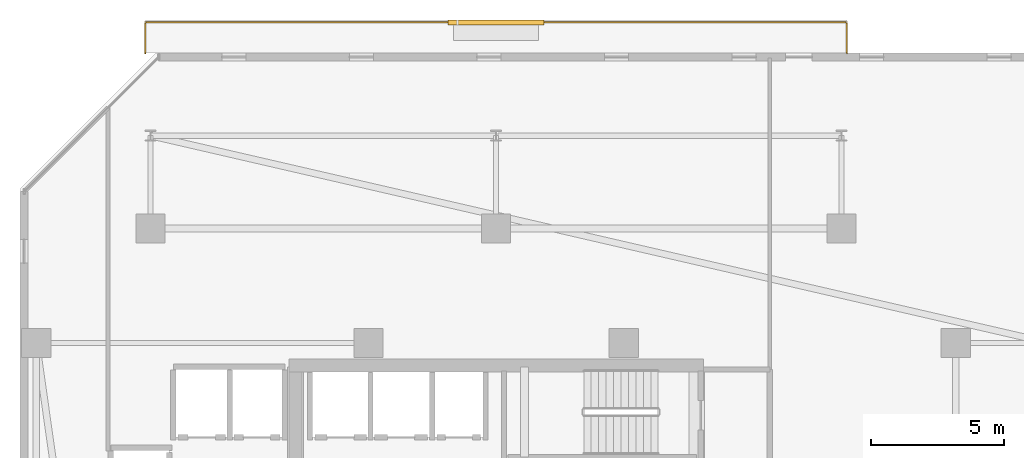
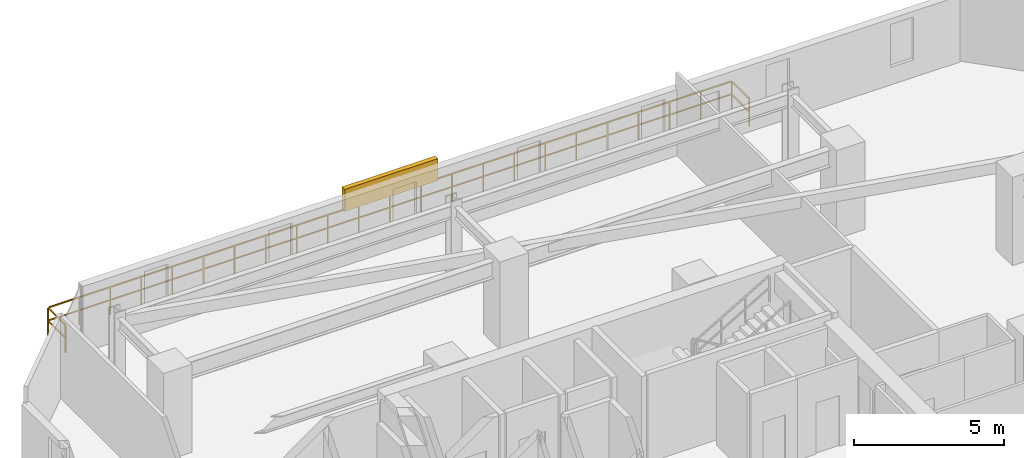
# One storey, part 31 of 33: 1 railing, 1 shading device.
"""IFC4 building model written with IfcOpenShell, lengths in metres."""

from ifc_helpers import new_model, si_unit, direction, frame, origin, origin_2d, place, context, subcontext, project, spatial, rectangle, extrude, material, type_object, element, save


model = new_model("IFC4")

# Units and contexts
model_context = context("Model", 3, precision=1e-05, world=origin(), true_north=direction((0.0, 1.0)))
body_context = subcontext(model_context, "Body", "Model", "MODEL_VIEW")
ifc_project = project(units=[si_unit("LENGTHUNIT", "METRE"), si_unit("AREAUNIT", "SQUARE_METRE"), si_unit("VOLUMEUNIT", "CUBIC_METRE"), si_unit("PLANEANGLEUNIT", "RADIAN"), si_unit("MASSUNIT", "GRAM", prefix="KILO")], contexts=[model_context])

# Site, building, storey
site_placement = place(None, origin())
site = spatial("IfcSite", under=ifc_project, at=site_placement, CompositionType="ELEMENT")
building_placement = place(site_placement, origin())
building = spatial("IfcBuilding", under=site, at=building_placement, Name="Thornwick Lancets Civic Towers", CompositionType="ELEMENT")
storey_placement = place(building_placement, frame((0.0, 0.0, 189.300048828125)))
storey = spatial("IfcBuildingStorey", under=building, at=storey_placement, Name="L50", CompositionType="ELEMENT", Elevation=189.300048828125)

# Railing
ifc_material_1 = material(Name="Terracotta-capped laminated glass balustrade S355", Category="masonry")
railing_type = type_object("IfcRailingType", Name="RAIL_TERR_GUARD", PredefinedType="GUARDRAIL", material=ifc_material_1)
railing_placement = place(storey_placement, frame((12.300048828125, 50.89990234375, 0.0)))
element("IfcRailing", 1, at=railing_placement, inside=storey, type_object=railing_type, Name="L50 Tower A Balcony Guard N", PredefinedType="GUARDRAIL", context=body_context, shape_type="SweptSolid", body=[
    extrude(rectangle(XDim=0.048095703125, YDim=0.048095703125, at=origin_2d()), frame((0.0, 0.0, 1.1259765625), z_axis=(0.0, 1.0, 0.0), x_axis=(-1.0, 0.0, 0.0)), (0.0, 0.0, 1.0), 1.138916015625),
    extrude(rectangle(XDim=0.0419921875, YDim=0.0419921875, at=origin_2d()), frame((0.0, 0.03759765625, 0.597900390625), z_axis=(0.0, 1.0, 0.0), x_axis=(-1.0, 0.0, 0.0)), (0.0, 0.0, 1.0), 1.09521484375),
    extrude(rectangle(XDim=0.048095703125, YDim=0.048095703125, at=origin_2d()), frame((0.03125, 1.170166015625, 1.1259765625), z_axis=(1.0, 0.0, 0.0), x_axis=(0.0, 1.0, 0.0)), (0.0, 0.0, 1.0), 26.33740234375),
    extrude(rectangle(XDim=0.0419921875, YDim=0.0419921875, at=origin_2d()), frame((0.03759765625, 1.170166015625, 0.597900390625), z_axis=(1.0, 0.0, 0.0), x_axis=(0.0, 1.0, 0.0)), (0.0, 0.0, 1.0), 1.125),
    extrude(rectangle(XDim=0.0419921875, YDim=0.0419921875, at=origin_2d()), frame((1.237548828125, 1.170166015625, 0.597900390625), z_axis=(1.0, 0.0, 0.0), x_axis=(0.0, 1.0, 0.0)), (0.0, 0.0, 1.0), 1.125),
    extrude(rectangle(XDim=0.0419921875, YDim=0.0419921875, at=origin_2d()), frame((2.4375, 1.170166015625, 0.597900390625), z_axis=(1.0, 0.0, 0.0), x_axis=(0.0, 1.0, 0.0)), (0.0, 0.0, 1.0), 1.125),
    extrude(rectangle(XDim=0.0419921875, YDim=0.0419921875, at=origin_2d()), frame((3.637451171875, 1.170166015625, 0.597900390625), z_axis=(1.0, 0.0, 0.0), x_axis=(0.0, 1.0, 0.0)), (0.0, 0.0, 1.0), 1.125),
    extrude(rectangle(XDim=0.0419921875, YDim=0.0419921875, at=origin_2d()), frame((4.83740234375, 1.170166015625, 0.597900390625), z_axis=(1.0, 0.0, 0.0), x_axis=(0.0, 1.0, 0.0)), (0.0, 0.0, 1.0), 1.125),
    extrude(rectangle(XDim=0.0419921875, YDim=0.0419921875, at=origin_2d()), frame((6.037353515625, 1.170166015625, 0.597900390625), z_axis=(1.0, 0.0, 0.0), x_axis=(0.0, 1.0, 0.0)), (0.0, 0.0, 1.0), 1.125),
    extrude(rectangle(XDim=0.0419921875, YDim=0.0419921875, at=origin_2d()), frame((7.237548828125, 1.170166015625, 0.597900390625), z_axis=(1.0, 0.0, 0.0), x_axis=(0.0, 1.0, 0.0)), (0.0, 0.0, 1.0), 1.125),
    extrude(rectangle(XDim=0.0419921875, YDim=0.0419921875, at=origin_2d()), frame((8.4375, 1.170166015625, 0.597900390625), z_axis=(1.0, 0.0, 0.0), x_axis=(0.0, 1.0, 0.0)), (0.0, 0.0, 1.0), 1.125),
    extrude(rectangle(XDim=0.0419921875, YDim=0.0419921875, at=origin_2d()), frame((9.637451171875, 1.170166015625, 0.597900390625), z_axis=(1.0, 0.0, 0.0), x_axis=(0.0, 1.0, 0.0)), (0.0, 0.0, 1.0), 1.125),
    extrude(rectangle(XDim=0.0419921875, YDim=0.0419921875, at=origin_2d()), frame((10.83740234375, 1.170166015625, 0.597900390625), z_axis=(1.0, 0.0, 0.0), x_axis=(0.0, 1.0, 0.0)), (0.0, 0.0, 1.0), 1.125),
    extrude(rectangle(XDim=0.0419921875, YDim=0.0419921875, at=origin_2d()), frame((12.037353515625, 1.170166015625, 0.597900390625), z_axis=(1.0, 0.0, 0.0), x_axis=(0.0, 1.0, 0.0)), (0.0, 0.0, 1.0), 1.125),
    extrude(rectangle(XDim=0.0419921875, YDim=0.0419921875, at=origin_2d()), frame((13.237548828125, 1.170166015625, 0.597900390625), z_axis=(1.0, 0.0, 0.0), x_axis=(0.0, 1.0, 0.0)), (0.0, 0.0, 1.0), 1.125),
    extrude(rectangle(XDim=0.0419921875, YDim=0.0419921875, at=origin_2d()), frame((14.4375, 1.170166015625, 0.597900390625), z_axis=(1.0, 0.0, 0.0), x_axis=(0.0, 1.0, 0.0)), (0.0, 0.0, 1.0), 1.125),
    extrude(rectangle(XDim=0.0419921875, YDim=0.0419921875, at=origin_2d()), frame((15.637451171875, 1.170166015625, 0.597900390625), z_axis=(1.0, 0.0, 0.0), x_axis=(0.0, 1.0, 0.0)), (0.0, 0.0, 1.0), 1.125),
    extrude(rectangle(XDim=0.0419921875, YDim=0.0419921875, at=origin_2d()), frame((16.83740234375, 1.170166015625, 0.597900390625), z_axis=(1.0, 0.0, 0.0), x_axis=(0.0, 1.0, 0.0)), (0.0, 0.0, 1.0), 1.125),
    extrude(rectangle(XDim=0.0419921875, YDim=0.0419921875, at=origin_2d()), frame((18.037353515625, 1.170166015625, 0.597900390625), z_axis=(1.0, 0.0, 0.0), x_axis=(0.0, 1.0, 0.0)), (0.0, 0.0, 1.0), 1.125),
    extrude(rectangle(XDim=0.0419921875, YDim=0.0419921875, at=origin_2d()), frame((19.2373046875, 1.170166015625, 0.597900390625), z_axis=(1.0, 0.0, 0.0), x_axis=(0.0, 1.0, 0.0)), (0.0, 0.0, 1.0), 1.125),
    extrude(rectangle(XDim=0.0419921875, YDim=0.0419921875, at=origin_2d()), frame((20.4375, 1.170166015625, 0.597900390625), z_axis=(1.0, 0.0, 0.0), x_axis=(0.0, 1.0, 0.0)), (0.0, 0.0, 1.0), 1.125),
    extrude(rectangle(XDim=0.0419921875, YDim=0.0419921875, at=origin_2d()), frame((21.637451171875, 1.170166015625, 0.597900390625), z_axis=(1.0, 0.0, 0.0), x_axis=(0.0, 1.0, 0.0)), (0.0, 0.0, 1.0), 1.125),
    extrude(rectangle(XDim=0.0419921875, YDim=0.0419921875, at=origin_2d()), frame((22.83740234375, 1.170166015625, 0.597900390625), z_axis=(1.0, 0.0, 0.0), x_axis=(0.0, 1.0, 0.0)), (0.0, 0.0, 1.0), 1.125),
    extrude(rectangle(XDim=0.0419921875, YDim=0.0419921875, at=origin_2d()), frame((24.037353515625, 1.170166015625, 0.597900390625), z_axis=(1.0, 0.0, 0.0), x_axis=(0.0, 1.0, 0.0)), (0.0, 0.0, 1.0), 1.125),
    extrude(rectangle(XDim=0.0419921875, YDim=0.0419921875, at=origin_2d()), frame((25.2373046875, 1.170166015625, 0.597900390625), z_axis=(1.0, 0.0, 0.0), x_axis=(0.0, 1.0, 0.0)), (0.0, 0.0, 1.0), 1.125),
    extrude(rectangle(XDim=0.048095703125, YDim=0.048095703125, at=origin_2d()), frame((26.39990234375, 1.138916015625, 1.1259765625), z_axis=(0.0, -1.0, 0.0), x_axis=(1.0, 0.0, 0.0)), (0.0, 0.0, 1.0), 1.138916015625),
    extrude(rectangle(XDim=0.0419921875, YDim=0.0419921875, at=origin_2d()), frame((26.39990234375, 1.132568359375, 0.597900390625), z_axis=(0.0, -1.0, 0.0), x_axis=(1.0, 0.0, 0.0)), (0.0, 0.0, 1.0), 1.09521484375),
    extrude(rectangle(XDim=0.0419921875, YDim=0.0419921875, at=origin_2d()), origin(), (0.0, 0.0, 1.0), 1.095703125),
    extrude(rectangle(XDim=0.0419921875, YDim=0.0419921875, at=origin_2d()), frame((0.0, 1.170166015625, 0.0)), (0.0, 0.0, 1.0), 1.095703125),
    extrude(rectangle(XDim=0.0419921875, YDim=0.0419921875, at=origin_2d()), frame((1.199951171875, 1.170166015625, 0.0)), (0.0, 0.0, 1.0), 1.095703125),
    extrude(rectangle(XDim=0.0419921875, YDim=0.0419921875, at=origin_2d()), frame((2.39990234375, 1.170166015625, 0.0)), (0.0, 0.0, 1.0), 1.095703125),
    extrude(rectangle(XDim=0.0419921875, YDim=0.0419921875, at=origin_2d()), frame((3.60009765625, 1.170166015625, 0.0)), (0.0, 0.0, 1.0), 1.095703125),
    extrude(rectangle(XDim=0.0419921875, YDim=0.0419921875, at=origin_2d()), frame((4.800048828125, 1.170166015625, 0.0)), (0.0, 0.0, 1.0), 1.095703125),
    extrude(rectangle(XDim=0.0419921875, YDim=0.0419921875, at=origin_2d()), frame((6.0, 1.170166015625, 0.0)), (0.0, 0.0, 1.0), 1.095703125),
    extrude(rectangle(XDim=0.0419921875, YDim=0.0419921875, at=origin_2d()), frame((7.199951171875, 1.170166015625, 0.0)), (0.0, 0.0, 1.0), 1.095703125),
    extrude(rectangle(XDim=0.0419921875, YDim=0.0419921875, at=origin_2d()), frame((8.39990234375, 1.170166015625, 0.0)), (0.0, 0.0, 1.0), 1.095703125),
    extrude(rectangle(XDim=0.0419921875, YDim=0.0419921875, at=origin_2d()), frame((9.599853515625, 1.170166015625, 0.0)), (0.0, 0.0, 1.0), 1.095703125),
    extrude(rectangle(XDim=0.0419921875, YDim=0.0419921875, at=origin_2d()), frame((10.800048828125, 1.170166015625, 0.0)), (0.0, 0.0, 1.0), 1.095703125),
    extrude(rectangle(XDim=0.0419921875, YDim=0.0419921875, at=origin_2d()), frame((12.0, 1.170166015625, 0.0)), (0.0, 0.0, 1.0), 1.095703125),
    extrude(rectangle(XDim=0.0419921875, YDim=0.0419921875, at=origin_2d()), frame((13.199951171875, 1.170166015625, 0.0)), (0.0, 0.0, 1.0), 1.095703125),
    extrude(rectangle(XDim=0.0419921875, YDim=0.0419921875, at=origin_2d()), frame((14.39990234375, 1.170166015625, 0.0)), (0.0, 0.0, 1.0), 1.095703125),
    extrude(rectangle(XDim=0.0419921875, YDim=0.0419921875, at=origin_2d()), frame((15.599853515625, 1.170166015625, 0.0)), (0.0, 0.0, 1.0), 1.095703125),
    extrude(rectangle(XDim=0.0419921875, YDim=0.0419921875, at=origin_2d()), frame((16.800048828125, 1.170166015625, 0.0)), (0.0, 0.0, 1.0), 1.095703125),
    extrude(rectangle(XDim=0.0419921875, YDim=0.0419921875, at=origin_2d()), frame((18.0, 1.170166015625, 0.0)), (0.0, 0.0, 1.0), 1.095703125),
    extrude(rectangle(XDim=0.0419921875, YDim=0.0419921875, at=origin_2d()), frame((19.199951171875, 1.170166015625, 0.0)), (0.0, 0.0, 1.0), 1.095703125),
    extrude(rectangle(XDim=0.0419921875, YDim=0.0419921875, at=origin_2d()), frame((20.39990234375, 1.170166015625, 0.0)), (0.0, 0.0, 1.0), 1.095703125),
    extrude(rectangle(XDim=0.0419921875, YDim=0.0419921875, at=origin_2d()), frame((21.599853515625, 1.170166015625, 0.0)), (0.0, 0.0, 1.0), 1.095703125),
    extrude(rectangle(XDim=0.0419921875, YDim=0.0419921875, at=origin_2d()), frame((22.7998046875, 1.170166015625, 0.0)), (0.0, 0.0, 1.0), 1.095703125),
    extrude(rectangle(XDim=0.0419921875, YDim=0.0419921875, at=origin_2d()), frame((24.0, 1.170166015625, 0.0)), (0.0, 0.0, 1.0), 1.095703125),
    extrude(rectangle(XDim=0.0419921875, YDim=0.0419921875, at=origin_2d()), frame((25.199951171875, 1.170166015625, 0.0)), (0.0, 0.0, 1.0), 1.095703125),
    extrude(rectangle(XDim=0.0419921875, YDim=0.0419921875, at=origin_2d()), frame((26.39990234375, 1.170166015625, 0.0)), (0.0, 0.0, 1.0), 1.095703125),
    extrude(rectangle(XDim=0.0419921875, YDim=0.0419921875, at=origin_2d()), frame((26.39990234375, 0.0, 0.0)), (0.0, 0.0, 1.0), 1.095703125),
])

# Shading device
ifc_material_2 = material(Name="Extruded terracotta baguette solar screen", Category="masonry")
shading_device_type = type_object("IfcShadingDeviceType", Name="SHADE_BAGUETTE", PredefinedType="JALOUSIE", material=ifc_material_2)
shading_device_placement = place(storey_placement, frame((25.5, 52.06005859375, 1.1201171875), z_axis=(0.0, 0.0, 1.0), x_axis=(1.0, 0.0, 0.0)))
element("IfcShadingDevice", 2, at=shading_device_placement, inside=storey, type_object=shading_device_type, Name="L50 Tower A Terracotta Baguette Screen N", PredefinedType="JALOUSIE", context=body_context, shape_type="SweptSolid", body=[
    extrude(rectangle(XDim=3.60009765625, YDim=0.179931640625, at=origin_2d()), origin(), (0.0, 0.0, 1.0), 0.89990234375),
])

save(model, "model.ifc")
